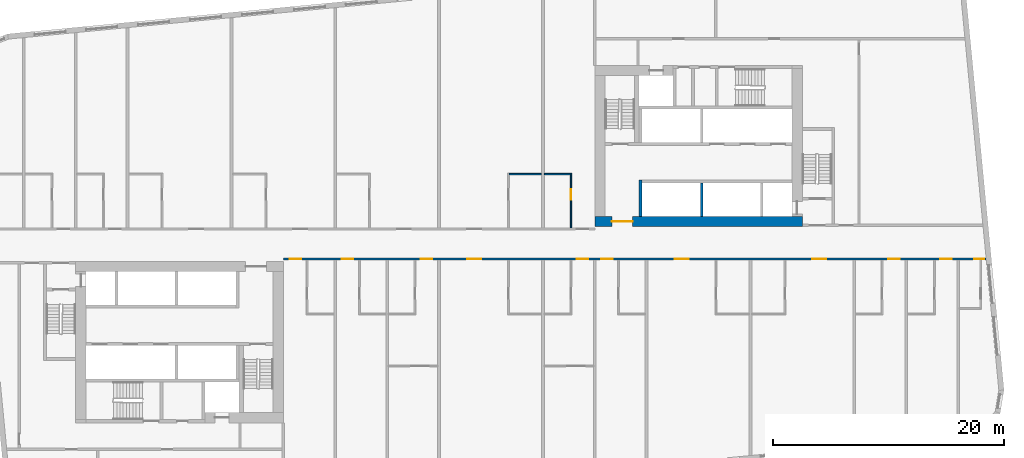
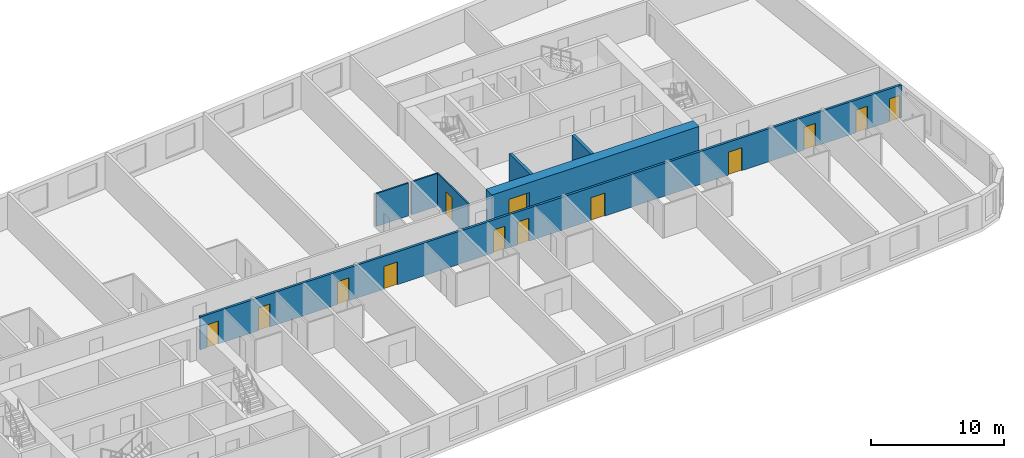
# One storey, part 5 of 12: 13 doors, 7 walls, 13 openings.
"""IFC4 building model written with IfcOpenShell, lengths in metres."""

from ifc_helpers import new_model, si_unit, direction, frame, frame_2d, origin, place, context, subcontext, project, spatial, rectangle, extrude, material, layer, layer_set, type_object, element, fill, save


model = new_model("IFC4")

# Units and contexts
model_context = context("Model", 3, precision=1e-05, world=origin(), true_north=direction((0.0, 1.0)))
body_context = subcontext(model_context, "Body", "Model", "MODEL_VIEW")
ifc_project = project(units=[si_unit("LENGTHUNIT", "METRE"), si_unit("AREAUNIT", "SQUARE_METRE"), si_unit("VOLUMEUNIT", "CUBIC_METRE"), si_unit("PLANEANGLEUNIT", "RADIAN"), si_unit("MASSUNIT", "GRAM", prefix="KILO")], contexts=[model_context])

# Site, building, storey
site_placement = place(None, origin())
site = spatial("IfcSite", under=ifc_project, at=site_placement, CompositionType="ELEMENT")
building_placement = place(site_placement, origin())
building = spatial("IfcBuilding", under=site, at=building_placement, Name="Kajstack Hotel Tower", CompositionType="ELEMENT")
storey_placement = place(building_placement, frame((0.0, 0.0, 117.39990234375)))
storey = spatial("IfcBuildingStorey", under=building, at=storey_placement, Name="L25", CompositionType="ELEMENT", Elevation=117.39990234375)

# Wall, opening, door
ifc_material_1 = material(Name="Concrete C60/75", Category="concrete")
ifc_layer_1 = layer(ifc_material_1, 0.89990234375)
ifc_layer_set_1 = layer_set([ifc_layer_1], Name="Core wall 900")
wall_type_1 = type_object("IfcWallType", Name="Core wall 900", PredefinedType="SHEAR", material=ifc_layer_set_1)
wall_1_placement = place(storey_placement, frame((13.5, 1.949951171875, 0.0), z_axis=(0.0, 0.0, 1.0), x_axis=(1.0, 0.0, 0.0)))
wall_1 = element("IfcWall", 1, at=wall_1_placement, inside=storey, type_object=wall_type_1, Name="Core wall E RN", PredefinedType="SHEAR", context=body_context, shape_type="SweptSolid", body=[
    extrude(rectangle(XDim=18.0, YDim=0.89990234375, at=frame_2d((9.0, 0.0))), origin(), (0.0, 0.0, 1.0), 3.02001953125),
])
opening_1_placement = place(wall_1_placement, frame((1.47509765625, 0.0, 0.0)))
opening_1 = element("IfcOpeningElement", 2, at=opening_1_placement, cuts=wall_1, Name="Opening 25E06", PredefinedType="OPENING", context=body_context, shape_type="SweptSolid", body=[
    extrude(rectangle(XDim=1.800048828125, YDim=2.10009765625, at=frame_2d((0.89990234375, 1.050048828125))), frame((0.0, 0.4599609375, 0.0), z_axis=(0.0, -1.0, 0.0), x_axis=(1.0, 0.0, 0.0)), (0.0, 0.0, 1.0), 0.919921875),
])
ifc_material_2 = material(Name="Glazed steel frame, fire-rated glass", Category="steel")
door_type_1 = type_object("IfcDoorType", Name="Lobby double door 1800", OperationType="DOUBLE_DOOR_DOUBLE_SWING", PredefinedType="DOOR", material=ifc_material_2)
door_1_placement = place(opening_1_placement, origin())
door_1 = element("IfcDoor", 3, at=door_1_placement, inside=storey, type_object=door_type_1, Name="Door 25E06", OperationType="DOUBLE_DOOR_DOUBLE_SWING", OverallHeight=2.10009765625, OverallWidth=1.800048828125, PredefinedType="DOOR", context=body_context, shape_type="SweptSolid", body=[
    extrude(rectangle(XDim=1.800048828125, YDim=2.10009765625, at=frame_2d((0.89990234375, 1.050048828125))), frame((0.0, 0.02490234375, 0.0), z_axis=(0.0, -1.0, 0.0), x_axis=(1.0, 0.0, 0.0)), (0.0, 0.0, 1.0), 0.050048828125),
])
fill(opening_1, door_1)

# Wall, openings, doors
ifc_material_3 = material(Name="Gypsum board on steel studs, mineral wool", Category="steel")
ifc_layer_2 = layer(ifc_material_3, 0.199951171875)
ifc_layer_set_2 = layer_set([ifc_layer_2], Name="Corridor wall 200")
wall_type_2 = type_object("IfcWallType", Name="Corridor wall 200", PredefinedType="PARTITIONING", material=ifc_layer_set_2)
wall_2_placement = place(storey_placement, frame((-13.5, -1.300048828125, 0.0), z_axis=(0.0, 0.0, 1.0), x_axis=(1.0, 0.0, 0.0)))
wall_2 = element("IfcWall", 4, at=wall_2_placement, inside=storey, type_object=wall_type_2, Name="G-wall-L25-021", PredefinedType="PARTITIONING", context=body_context, shape_type="SweptSolid", body=[
    extrude(rectangle(XDim=60.931884765625, YDim=0.199951171875, at=frame_2d((30.4658203125, 0.0))), origin(), (0.0, 0.0, 1.0), 3.02001953125),
])
opening_2_placement = place(wall_2_placement, frame((0.574951171875, 0.0, 0.0)))
opening_2 = element("IfcOpeningElement", 5, at=opening_2_placement, cuts=wall_2, Name="Opening 25017", PredefinedType="OPENING", context=body_context, shape_type="SweptSolid", body=[
    extrude(rectangle(XDim=1.0, YDim=2.10009765625, at=frame_2d((0.5, 1.050048828125))), frame((0.0, 0.10986328125, 0.0), z_axis=(0.0, -1.0, 0.0), x_axis=(1.0, 0.0, 0.0)), (0.0, 0.0, 1.0), 0.219970703125),
])
opening_3_placement = place(wall_2_placement, frame((5.074951171875, 0.0, 0.0)))
opening_3 = element("IfcOpeningElement", 6, at=opening_3_placement, cuts=wall_2, Name="Opening 25019", PredefinedType="OPENING", context=body_context, shape_type="SweptSolid", body=[
    extrude(rectangle(XDim=1.0, YDim=2.10009765625, at=frame_2d((0.5, 1.050048828125))), frame((0.0, 0.10986328125, 0.0), z_axis=(0.0, -1.0, 0.0), x_axis=(1.0, 0.0, 0.0)), (0.0, 0.0, 1.0), 0.219970703125),
])
opening_4_placement = place(wall_2_placement, frame((11.925048828125, 0.0, 0.0)))
opening_4 = element("IfcOpeningElement", 7, at=opening_4_placement, cuts=wall_2, Name="Opening 25021", PredefinedType="OPENING", context=body_context, shape_type="SweptSolid", body=[
    extrude(rectangle(XDim=1.0, YDim=2.10009765625, at=frame_2d((0.5, 1.050048828125))), frame((0.0, 0.10986328125, 0.0), z_axis=(0.0, -1.0, 0.0), x_axis=(1.0, 0.0, 0.0)), (0.0, 0.0, 1.0), 0.219970703125),
])
opening_5_placement = place(wall_2_placement, frame((15.93798828125, 0.0, 0.0)))
opening_5 = element("IfcOpeningElement", 8, at=opening_5_placement, cuts=wall_2, Name="Opening 25024", PredefinedType="OPENING", context=body_context, shape_type="SweptSolid", body=[
    extrude(rectangle(XDim=1.199951171875, YDim=2.10009765625, at=frame_2d((0.60009765625, 1.050048828125))), frame((0.0, 0.10986328125, 0.0), z_axis=(0.0, -1.0, 0.0), x_axis=(1.0, 0.0, 0.0)), (0.0, 0.0, 1.0), 0.219970703125),
])
opening_6_placement = place(wall_2_placement, frame((25.449951171875, 0.0, 0.0)))
opening_6 = element("IfcOpeningElement", 9, at=opening_6_placement, cuts=wall_2, Name="Opening 25026", PredefinedType="OPENING", context=body_context, shape_type="SweptSolid", body=[
    extrude(rectangle(XDim=1.0, YDim=2.10009765625, at=frame_2d((0.5, 1.050048828125))), frame((0.0, 0.10986328125, 0.0), z_axis=(0.0, -1.0, 0.0), x_axis=(1.0, 0.0, 0.0)), (0.0, 0.0, 1.0), 0.219970703125),
])
opening_7_placement = place(wall_2_placement, frame((27.550048828125, 0.0, 0.0)))
opening_7 = element("IfcOpeningElement", 10, at=opening_7_placement, cuts=wall_2, Name="Opening 25029", PredefinedType="OPENING", context=body_context, shape_type="SweptSolid", body=[
    extrude(rectangle(XDim=1.0, YDim=2.10009765625, at=frame_2d((0.5, 1.050048828125))), frame((0.0, 0.10986328125, 0.0), z_axis=(0.0, -1.0, 0.0), x_axis=(1.0, 0.0, 0.0)), (0.0, 0.0, 1.0), 0.219970703125),
])
opening_8_placement = place(wall_2_placement, frame((33.93798828125, 0.0, 0.0)))
opening_8 = element("IfcOpeningElement", 11, at=opening_8_placement, cuts=wall_2, Name="Opening 25031", PredefinedType="OPENING", context=body_context, shape_type="SweptSolid", body=[
    extrude(rectangle(XDim=1.199951171875, YDim=2.10009765625, at=frame_2d((0.60009765625, 1.050048828125))), frame((0.0, 0.10986328125, 0.0), z_axis=(0.0, -1.0, 0.0), x_axis=(1.0, 0.0, 0.0)), (0.0, 0.0, 1.0), 0.219970703125),
])
opening_9_placement = place(wall_2_placement, frame((45.862060546875, 0.0, 0.0)))
opening_9 = element("IfcOpeningElement", 12, at=opening_9_placement, cuts=wall_2, Name="Opening 25033", PredefinedType="OPENING", context=body_context, shape_type="SweptSolid", body=[
    extrude(rectangle(XDim=1.199951171875, YDim=2.10009765625, at=frame_2d((0.60009765625, 1.050048828125))), frame((0.0, 0.10986328125, 0.0), z_axis=(0.0, -1.0, 0.0), x_axis=(1.0, 0.0, 0.0)), (0.0, 0.0, 1.0), 0.219970703125),
])
opening_10_placement = place(wall_2_placement, frame((52.425048828125, 0.0, 0.0)))
opening_10 = element("IfcOpeningElement", 13, at=opening_10_placement, cuts=wall_2, Name="Opening 25035", PredefinedType="OPENING", context=body_context, shape_type="SweptSolid", body=[
    extrude(rectangle(XDim=1.0, YDim=2.10009765625, at=frame_2d((0.5, 1.050048828125))), frame((0.0, 0.10986328125, 0.0), z_axis=(0.0, -1.0, 0.0), x_axis=(1.0, 0.0, 0.0)), (0.0, 0.0, 1.0), 0.219970703125),
])
opening_11_placement = place(wall_2_placement, frame((56.949951171875, 0.0, 0.0)))
opening_11 = element("IfcOpeningElement", 14, at=opening_11_placement, cuts=wall_2, Name="Opening 25037", PredefinedType="OPENING", context=body_context, shape_type="SweptSolid", body=[
    extrude(rectangle(XDim=1.0, YDim=2.10009765625, at=frame_2d((0.5, 1.050048828125))), frame((0.0, 0.10986328125, 0.0), z_axis=(0.0, -1.0, 0.0), x_axis=(1.0, 0.0, 0.0)), (0.0, 0.0, 1.0), 0.219970703125),
])
opening_12_placement = place(wall_2_placement, frame((59.882080078125, 0.0, 0.0)))
opening_12 = element("IfcOpeningElement", 15, at=opening_12_placement, cuts=wall_2, Name="Opening 25039", PredefinedType="OPENING", context=body_context, shape_type="SweptSolid", body=[
    extrude(rectangle(XDim=0.89990234375, YDim=2.10009765625, at=frame_2d((0.449951171875, 1.050048828125))), frame((0.0, 0.10986328125, 0.0), z_axis=(0.0, -1.0, 0.0), x_axis=(1.0, 0.0, 0.0)), (0.0, 0.0, 1.0), 0.219970703125),
])
ifc_material_4 = material(Name="Oak veneer on timber core, fire-rated leaf", Category="wood")
door_type_2 = type_object("IfcDoorType", Name="Flat entrance door 1000", OperationType="SINGLE_SWING_LEFT", PredefinedType="DOOR", material=ifc_material_4)
door_2_placement = place(opening_2_placement, origin())
door_2 = element("IfcDoor", 16, at=door_2_placement, inside=storey, type_object=door_type_2, Name="G-door-L25-17", OperationType="SINGLE_SWING_LEFT", OverallHeight=2.10009765625, OverallWidth=1.0, PredefinedType="DOOR", context=body_context, shape_type="SweptSolid", body=[
    extrude(rectangle(XDim=1.0, YDim=2.10009765625, at=frame_2d((0.5, 1.050048828125))), frame((0.0, 0.02490234375, 0.0), z_axis=(0.0, -1.0, 0.0), x_axis=(1.0, 0.0, 0.0)), (0.0, 0.0, 1.0), 0.050048828125),
])
fill(opening_2, door_2)
door_3_placement = place(opening_3_placement, origin())
door_3 = element("IfcDoor", 17, at=door_3_placement, inside=storey, type_object=door_type_2, Name="G-door-L25-19", OperationType="SINGLE_SWING_RIGHT", OverallHeight=2.10009765625, OverallWidth=1.0, PredefinedType="DOOR", context=body_context, shape_type="SweptSolid", body=[
    extrude(rectangle(XDim=1.0, YDim=2.10009765625, at=frame_2d((0.5, 1.050048828125))), frame((0.0, 0.02490234375, 0.0), z_axis=(0.0, -1.0, 0.0), x_axis=(1.0, 0.0, 0.0)), (0.0, 0.0, 1.0), 0.050048828125),
])
fill(opening_3, door_3)
door_4_placement = place(opening_4_placement, origin())
door_4 = element("IfcDoor", 18, at=door_4_placement, inside=storey, type_object=door_type_2, Name="G-door-L25-21", OperationType="SINGLE_SWING_LEFT", OverallHeight=2.10009765625, OverallWidth=1.0, PredefinedType="DOOR", context=body_context, shape_type="SweptSolid", body=[
    extrude(rectangle(XDim=1.0, YDim=2.10009765625, at=frame_2d((0.5, 1.050048828125))), frame((0.0, 0.02490234375, 0.0), z_axis=(0.0, -1.0, 0.0), x_axis=(1.0, 0.0, 0.0)), (0.0, 0.0, 1.0), 0.050048828125),
])
fill(opening_4, door_4)
door_5_placement = place(opening_6_placement, origin())
door_5 = element("IfcDoor", 19, at=door_5_placement, inside=storey, type_object=door_type_2, Name="G-door-L25-26", OperationType="SINGLE_SWING_LEFT", OverallHeight=2.10009765625, OverallWidth=1.0, PredefinedType="DOOR", context=body_context, shape_type="SweptSolid", body=[
    extrude(rectangle(XDim=1.0, YDim=2.10009765625, at=frame_2d((0.5, 1.050048828125))), frame((0.0, 0.02490234375, 0.0), z_axis=(0.0, -1.0, 0.0), x_axis=(1.0, 0.0, 0.0)), (0.0, 0.0, 1.0), 0.050048828125),
])
fill(opening_6, door_5)
door_6_placement = place(opening_7_placement, origin())
door_6 = element("IfcDoor", 20, at=door_6_placement, inside=storey, type_object=door_type_2, Name="G-door-L25-29", OperationType="SINGLE_SWING_LEFT", OverallHeight=2.10009765625, OverallWidth=1.0, PredefinedType="DOOR", context=body_context, shape_type="SweptSolid", body=[
    extrude(rectangle(XDim=1.0, YDim=2.10009765625, at=frame_2d((0.5, 1.050048828125))), frame((0.0, 0.02490234375, 0.0), z_axis=(0.0, -1.0, 0.0), x_axis=(1.0, 0.0, 0.0)), (0.0, 0.0, 1.0), 0.050048828125),
])
fill(opening_7, door_6)
door_7_placement = place(opening_10_placement, origin())
door_7 = element("IfcDoor", 21, at=door_7_placement, inside=storey, type_object=door_type_2, Name="G-door-L25-35", OperationType="SINGLE_SWING_LEFT", OverallHeight=2.10009765625, OverallWidth=1.0, PredefinedType="DOOR", context=body_context, shape_type="SweptSolid", body=[
    extrude(rectangle(XDim=1.0, YDim=2.10009765625, at=frame_2d((0.5, 1.050048828125))), frame((0.0, 0.02490234375, 0.0), z_axis=(0.0, -1.0, 0.0), x_axis=(1.0, 0.0, 0.0)), (0.0, 0.0, 1.0), 0.050048828125),
])
fill(opening_10, door_7)
door_8_placement = place(opening_11_placement, origin())
door_8 = element("IfcDoor", 22, at=door_8_placement, inside=storey, type_object=door_type_2, Name="G-door-L25-37", OperationType="SINGLE_SWING_RIGHT", OverallHeight=2.10009765625, OverallWidth=1.0, PredefinedType="DOOR", context=body_context, shape_type="SweptSolid", body=[
    extrude(rectangle(XDim=1.0, YDim=2.10009765625, at=frame_2d((0.5, 1.050048828125))), frame((0.0, 0.02490234375, 0.0), z_axis=(0.0, -1.0, 0.0), x_axis=(1.0, 0.0, 0.0)), (0.0, 0.0, 1.0), 0.050048828125),
])
fill(opening_11, door_8)
door_type_3 = type_object("IfcDoorType", Name="Flat entrance door 1200", OperationType="SINGLE_SWING_LEFT", PredefinedType="DOOR", material=ifc_material_4)
door_9_placement = place(opening_5_placement, origin())
door_9 = element("IfcDoor", 23, at=door_9_placement, inside=storey, type_object=door_type_3, Name="G-door-L25-24", OperationType="SINGLE_SWING_LEFT", OverallHeight=2.10009765625, OverallWidth=1.199951171875, PredefinedType="DOOR", context=body_context, shape_type="SweptSolid", body=[
    extrude(rectangle(XDim=1.199951171875, YDim=2.10009765625, at=frame_2d((0.60009765625, 1.050048828125))), frame((0.0, 0.02490234375, 0.0), z_axis=(0.0, -1.0, 0.0), x_axis=(1.0, 0.0, 0.0)), (0.0, 0.0, 1.0), 0.050048828125),
])
fill(opening_5, door_9)
door_10_placement = place(opening_8_placement, origin())
door_10 = element("IfcDoor", 24, at=door_10_placement, inside=storey, type_object=door_type_3, Name="G-door-L25-31", OperationType="SINGLE_SWING_RIGHT", OverallHeight=2.10009765625, OverallWidth=1.199951171875, PredefinedType="DOOR", context=body_context, shape_type="SweptSolid", body=[
    extrude(rectangle(XDim=1.199951171875, YDim=2.10009765625, at=frame_2d((0.60009765625, 1.050048828125))), frame((0.0, 0.02490234375, 0.0), z_axis=(0.0, -1.0, 0.0), x_axis=(1.0, 0.0, 0.0)), (0.0, 0.0, 1.0), 0.050048828125),
])
fill(opening_8, door_10)
door_11_placement = place(opening_9_placement, origin())
door_11 = element("IfcDoor", 25, at=door_11_placement, inside=storey, type_object=door_type_3, Name="G-door-L25-33", OperationType="SINGLE_SWING_RIGHT", OverallHeight=2.10009765625, OverallWidth=1.199951171875, PredefinedType="DOOR", context=body_context, shape_type="SweptSolid", body=[
    extrude(rectangle(XDim=1.199951171875, YDim=2.10009765625, at=frame_2d((0.60009765625, 1.050048828125))), frame((0.0, 0.02490234375, 0.0), z_axis=(0.0, -1.0, 0.0), x_axis=(1.0, 0.0, 0.0)), (0.0, 0.0, 1.0), 0.050048828125),
])
fill(opening_9, door_11)
ifc_material_5 = material(Name="Painted timber door leaf", Category="wood")
door_type_4 = type_object("IfcDoorType", Name="Room door 900", OperationType="SINGLE_SWING_LEFT", PredefinedType="DOOR", material=ifc_material_5)
door_12_placement = place(opening_12_placement, origin())
door_12 = element("IfcDoor", 26, at=door_12_placement, inside=storey, type_object=door_type_4, Name="G-door-L25-39", OperationType="SINGLE_SWING_LEFT", OverallHeight=2.10009765625, OverallWidth=0.89990234375, PredefinedType="DOOR", context=body_context, shape_type="SweptSolid", body=[
    extrude(rectangle(XDim=0.89990234375, YDim=2.10009765625, at=frame_2d((0.449951171875, 1.050048828125))), frame((0.0, 0.02490234375, 0.0), z_axis=(0.0, -1.0, 0.0), x_axis=(1.0, 0.0, 0.0)), (0.0, 0.0, 1.0), 0.050048828125),
])
fill(opening_12, door_12)

# Wall
ifc_material_6 = material(Name="Gypsum board and tiled backer on steel studs", Category="steel")
ifc_layer_3 = layer(ifc_material_6, 0.125)
ifc_layer_set_3 = layer_set([ifc_layer_3], Name="En-suite wall 125")
wall_type_3 = type_object("IfcWallType", Name="En-suite wall 125", PredefinedType="PARTITIONING", material=ifc_layer_set_3)
wall_3_placement = place(storey_placement, frame((6.074951171875, 6.06201171875, 0.0), z_axis=(0.0, 0.0, 1.0), x_axis=(1.0, 0.0, 0.0)))
element("IfcWall", 27, at=wall_3_placement, inside=storey, type_object=wall_type_3, Name="G-wall-L25-018", PredefinedType="PARTITIONING", context=body_context, shape_type="SweptSolid", body=[
    extrude(rectangle(XDim=2.800048828125, YDim=0.125, at=frame_2d((1.39990234375, 0.0))), origin(), (0.0, 0.0, 1.0), 3.02001953125),
])

# Wall, opening, door
wall_4_placement = place(storey_placement, frame((11.43798828125, 1.39990234375, 0.0), z_axis=(0.0, 0.0, 1.0), x_axis=(0.0, 1.0, 0.0)))
wall_4 = element("IfcWall", 28, at=wall_4_placement, inside=storey, type_object=wall_type_3, Name="G-wall-L25-019", PredefinedType="PARTITIONING", context=body_context, shape_type="SweptSolid", body=[
    extrude(rectangle(XDim=4.72509765625, YDim=0.125, at=frame_2d((2.362548828125, 0.0))), origin(), (0.0, 0.0, 1.0), 3.02001953125),
])
opening_13_placement = place(wall_4_placement, frame((2.449951171875, 0.0, 0.0)))
opening_13 = element("IfcOpeningElement", 29, at=opening_13_placement, cuts=wall_4, Name="Opening 25016", PredefinedType="OPENING", context=body_context, shape_type="SweptSolid", body=[
    extrude(rectangle(XDim=0.89990234375, YDim=2.10009765625, at=frame_2d((0.449951171875, 1.050048828125))), frame((0.0, 0.072509765625, 0.0), z_axis=(0.0, -1.0, 0.0), x_axis=(1.0, 0.0, 0.0)), (0.0, 0.0, 1.0), 0.14501953125),
])
door_13_placement = place(opening_13_placement, origin())
door_13 = element("IfcDoor", 30, at=door_13_placement, inside=storey, type_object=door_type_4, Name="G-door-L25-16", OperationType="SINGLE_SWING_LEFT", OverallHeight=2.10009765625, OverallWidth=0.89990234375, PredefinedType="DOOR", context=body_context, shape_type="SweptSolid", body=[
    extrude(rectangle(XDim=0.89990234375, YDim=2.10009765625, at=frame_2d((0.449951171875, 1.050048828125))), frame((0.0, 0.02490234375, 0.0), z_axis=(0.0, -1.0, 0.0), x_axis=(1.0, 0.0, 0.0)), (0.0, 0.0, 1.0), 0.050048828125),
])
fill(opening_13, door_13)

# Walls
wall_5_placement = place(storey_placement, frame((9.125, 6.06201171875, 0.0), z_axis=(0.0, 0.0, 1.0), x_axis=(1.0, 0.0, 0.0)))
element("IfcWall", 31, at=wall_5_placement, inside=storey, type_object=wall_type_3, Name="G-wall-L25-020", PredefinedType="PARTITIONING", context=body_context, shape_type="SweptSolid", body=[
    extrude(rectangle(XDim=2.25, YDim=0.125, at=frame_2d((1.125, 0.0))), origin(), (0.0, 0.0, 1.0), 3.02001953125),
])
ifc_material_7 = material(Name="Concrete C50/60", Category="concrete")
ifc_layer_4 = layer(ifc_material_7, 0.300048828125)
ifc_layer_set_4 = layer_set([ifc_layer_4], Name="Hoistway divider wall 300")
wall_type_4 = type_object("IfcWallType", Name="Hoistway divider wall 300", PredefinedType="SHEAR", material=ifc_layer_set_4)
wall_6_placement = place(storey_placement, frame((22.77490234375, 2.39990234375, 0.0), z_axis=(0.0, 0.0, 1.0), x_axis=(0.0, 1.0, 0.0)))
element("IfcWall", 32, at=wall_6_placement, inside=storey, type_object=wall_type_4, Name="Core wall E AP2", PredefinedType="SHEAR", context=body_context, shape_type="SweptSolid", body=[
    extrude(rectangle(XDim=2.900146484375, YDim=0.25, at=frame_2d((1.4501953125, 0.0))), origin(), (0.0, 0.0, 1.0), 3.02001953125),
])
ifc_layer_5 = layer(ifc_material_7, 0.25)
ifc_layer_set_5 = layer_set([ifc_layer_5], Name="Shaft wall 250")
wall_type_5 = type_object("IfcWallType", Name="Shaft wall 250", PredefinedType="SHEAR", material=ifc_layer_set_5)
wall_7_placement = place(storey_placement, frame((17.47509765625, 2.39990234375, 0.0), z_axis=(0.0, 0.0, 1.0), x_axis=(0.0, 1.0, 0.0)))
element("IfcWall", 33, at=wall_7_placement, inside=storey, type_object=wall_type_5, Name="Core wall E AE", PredefinedType="SHEAR", context=body_context, shape_type="SweptSolid", body=[
    extrude(rectangle(XDim=3.150146484375, YDim=0.25, at=frame_2d((1.5751953125, 0.0))), origin(), (0.0, 0.0, 1.0), 3.02001953125),
])

save(model, "model.ifc")
